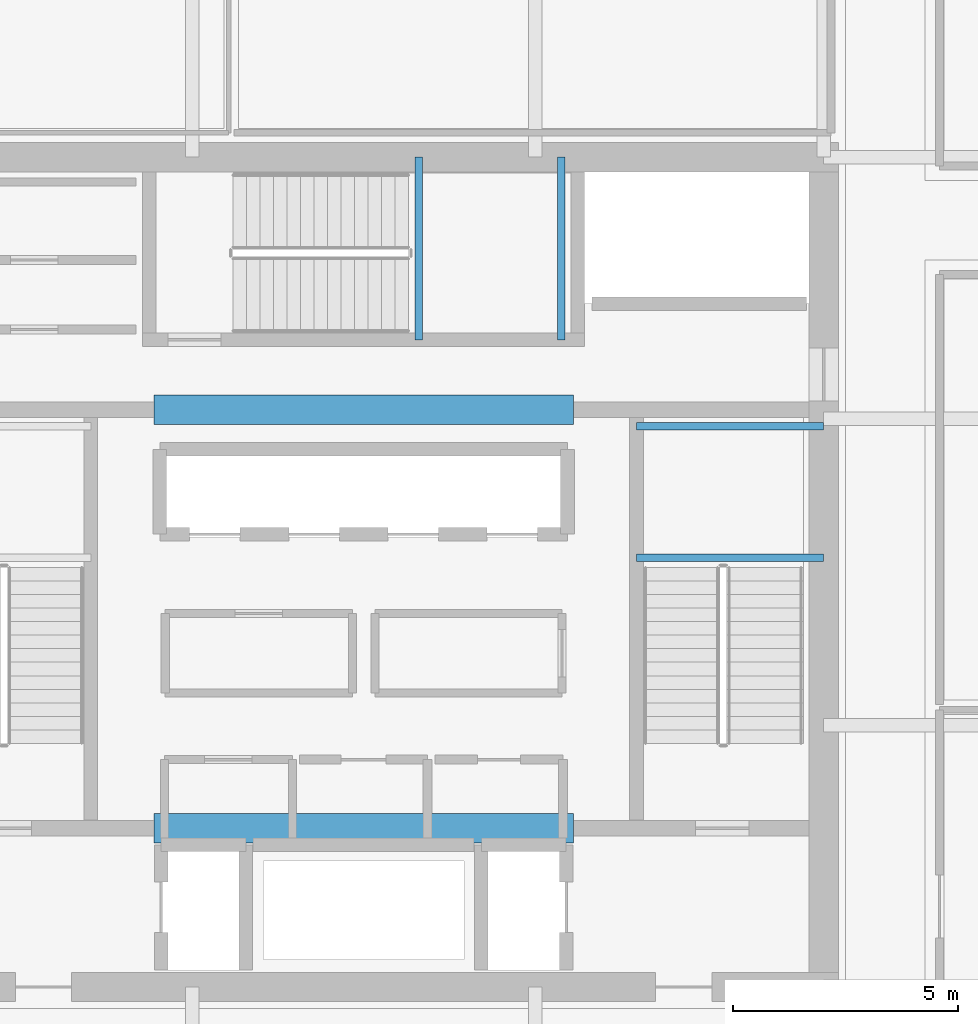
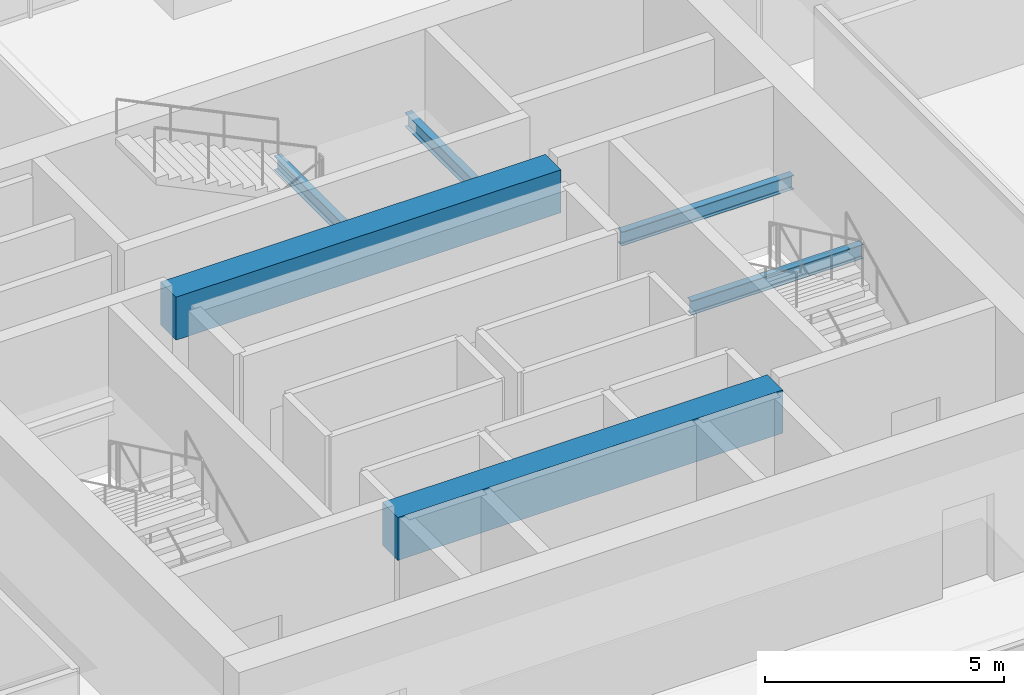
# One storey, part 13 of 37: 6 beams.
"""IFC4 building model written with IfcOpenShell, lengths in metres."""

from ifc_helpers import new_model, si_unit, direction, frame, origin, origin_2d, place, context, subcontext, project, spatial, rectangle, i_section, extrude, material, material_profile, profile_set, type_object, element, save


model = new_model("IFC4")

# Units and contexts
model_context = context("Model", 3, precision=1e-05, world=origin(), true_north=direction((0.0, 1.0)))
body_context = subcontext(model_context, "Body", "Model", "MODEL_VIEW")
ifc_project = project(units=[si_unit("LENGTHUNIT", "METRE"), si_unit("AREAUNIT", "SQUARE_METRE"), si_unit("VOLUMEUNIT", "CUBIC_METRE"), si_unit("PLANEANGLEUNIT", "RADIAN"), si_unit("MASSUNIT", "GRAM", prefix="KILO")], contexts=[model_context])

# Site, building, storey
site_placement = place(None, origin())
site = spatial("IfcSite", under=ifc_project, at=site_placement, CompositionType="ELEMENT")
building_placement = place(site_placement, origin())
building = spatial("IfcBuilding", under=site, at=building_placement, Name="Punatoya Terracotta Tower", CompositionType="ELEMENT")
storey_placement = place(building_placement, frame((0.0, 0.0, 224.85009765625)))
storey = spatial("IfcBuildingStorey", under=building, at=storey_placement, Name="L53", CompositionType="ELEMENT", Elevation=224.85009765625)

# Beams
ifc_material_1 = material(Name="Concrete C60/75", Category="concrete")
ifc_material_profile_1 = material_profile(ifc_material_1, rectangle(XDim=0.64990234375, YDim=1.10009765625, at=origin_2d()))
ifc_profile_set_1 = profile_set([ifc_material_profile_1], Name="Concrete C60/75")
beam_type_1 = type_object("IfcBeamType", Name="BM-RC-1100", PredefinedType="LINTEL", material=ifc_profile_set_1)
for number, where, z_axis, x_axis, name in (
    (1, (-4.64990234375, -5.679931640625, 3.27978515625), (1.0, 0.0, 0.0), (0.0, 1.0, 0.0), "L53 Core Coupling Lintel CSW"),
    (2, (-4.64990234375, 3.60009765625, 3.27978515625), (1.0, 0.0, 0.0), (0.0, 1.0, 0.0), "L53 Core Coupling Lintel CNW"),
):
    element("IfcBeam", number, at=place(storey_placement, frame(where, z_axis=z_axis, x_axis=x_axis)), inside=storey, type_object=beam_type_1, Name=name, PredefinedType="LINTEL", context=body_context, shape_type="SweptSolid", body=[
        extrude(rectangle(XDim=0.64990234375, YDim=1.10009765625, at=origin_2d()), origin(), (0.0, 0.0, 1.0), 9.2998046875),
    ])
ifc_material_2 = material(Name="Steel S355", Category="steel")
ifc_material_profile_2 = material_profile(ifc_material_2, i_section(OverallWidth=0.169921875, OverallDepth=0.360107421875, WebThickness=0.008056640625, FlangeThickness=0.0126953125, FilletRadius=0.01806640625, at=origin_2d()))
ifc_profile_set_2 = profile_set([ifc_material_profile_2], Name="Steel S355")
beam_type_2 = type_object("IfcBeamType", Name="BM-SEC-360", PredefinedType="JOIST", material=ifc_profile_set_2)
for number, where, z_axis, x_axis, name in (
    (3, (6.050048828125, 0.320068359375, 1.64501953125), (1.0, 0.0, 0.0), (0.0, 1.0, 0.0), "BM-L53-ST-2-LD1A"),
    (4, (6.050048828125, 3.22998046875, 1.64501953125), (1.0, 0.0, 0.0), (0.0, 1.0, 0.0), "BM-L53-ST-2-LD1B"),
):
    element("IfcBeam", number, at=place(storey_placement, frame(where, z_axis=z_axis, x_axis=x_axis)), inside=storey, type_object=beam_type_2, Name=name, PredefinedType="JOIST", context=body_context, shape_type="SweptSolid", body=[
        extrude(i_section(OverallWidth=0.169921875, OverallDepth=0.360107421875, WebThickness=0.008056640625, FlangeThickness=0.0126953125, FilletRadius=0.01806640625, at=origin_2d()), origin(), (0.0, 0.0, 1.0), 4.14990234375),
    ])
for number, where, z_axis, x_axis, name in (
    (5, (1.219970703125, 5.14990234375, 1.64501953125), (0.0, 1.0, 0.0), (-1.0, 0.0, 0.0), "BM-L53-ST-3-LD1A"),
    (6, (4.3798828125, 5.14990234375, 1.64501953125), (0.0, 1.0, 0.0), (-1.0, 0.0, 0.0), "BM-L53-ST-3-LD1B"),
):
    element("IfcBeam", number, at=place(storey_placement, frame(where, z_axis=z_axis, x_axis=x_axis)), inside=storey, type_object=beam_type_2, Name=name, PredefinedType="JOIST", context=body_context, shape_type="SweptSolid", body=[
        extrude(i_section(OverallWidth=0.169921875, OverallDepth=0.360107421875, WebThickness=0.008056640625, FlangeThickness=0.0126953125, FilletRadius=0.01806640625, at=origin_2d()), origin(), (0.0, 0.0, 1.0), 4.050048828125),
    ])

save(model, "model.ifc")
